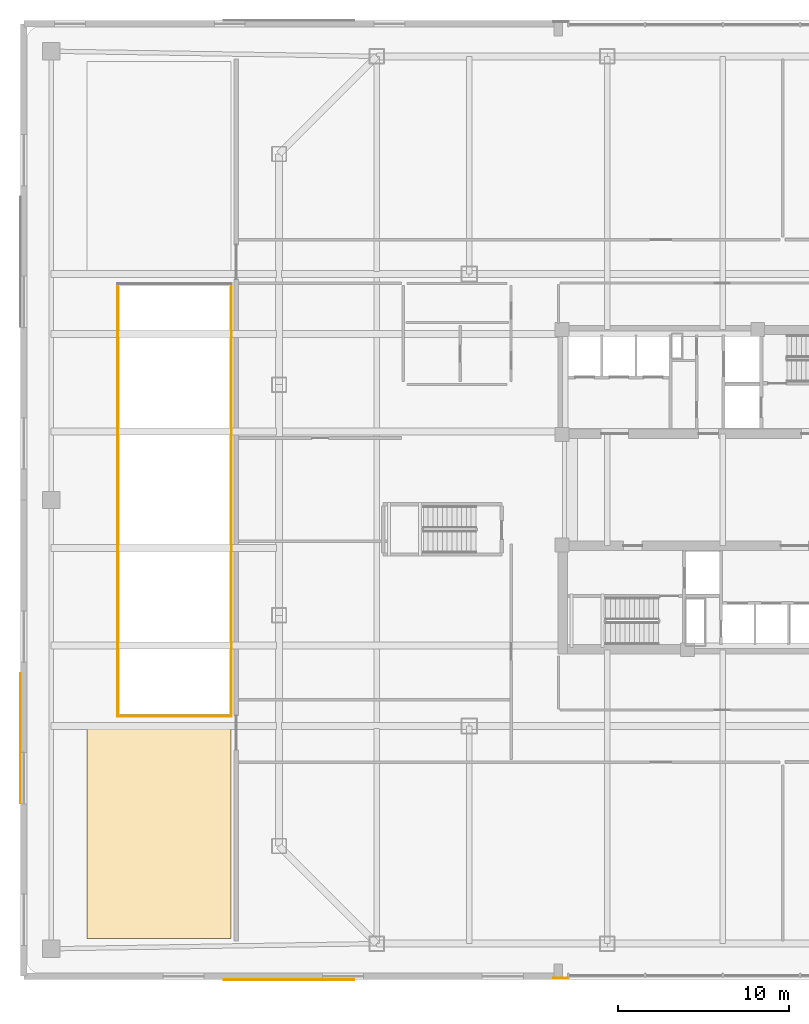
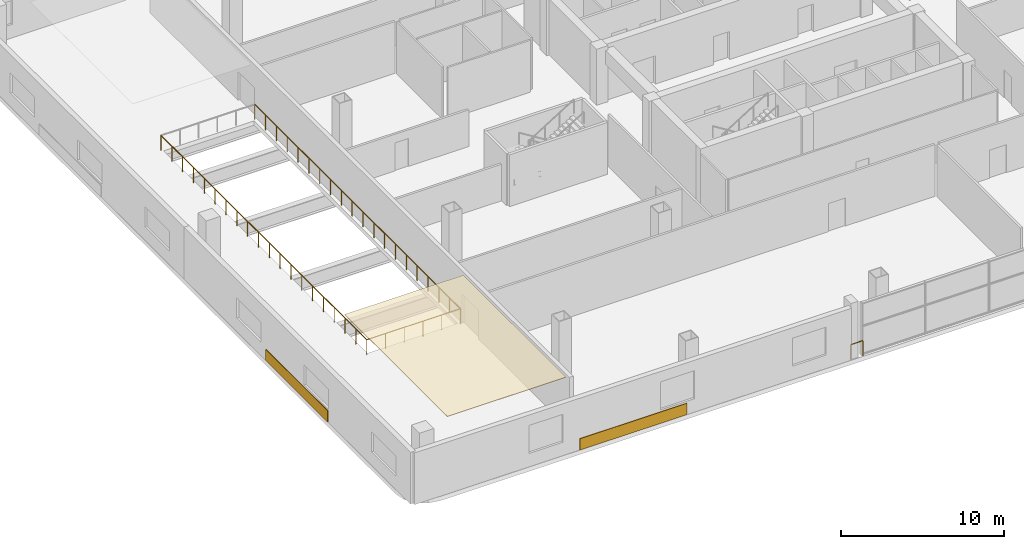
# One storey, part 16 of 21: 4 railings, 3 coverings.
"""IFC4 building model written with IfcOpenShell, lengths in metres."""

from ifc_helpers import new_model, si_unit, direction, frame, origin, origin_2d, place, context, subcontext, project, spatial, polyline, rectangle, outline, extrude, material, layer, layer_set, type_object, element, save


model = new_model("IFC4")

# Units and contexts
model_context = context("Model", 3, precision=1e-05, world=origin(), true_north=direction((0.0, 1.0)))
body_context = subcontext(model_context, "Body", "Model", "MODEL_VIEW")
ifc_project = project(units=[si_unit("LENGTHUNIT", "METRE"), si_unit("AREAUNIT", "SQUARE_METRE"), si_unit("VOLUMEUNIT", "CUBIC_METRE"), si_unit("PLANEANGLEUNIT", "RADIAN"), si_unit("MASSUNIT", "GRAM", prefix="KILO")], contexts=[model_context])

# Site, building, storey
site_placement = place(None, origin())
site = spatial("IfcSite", under=ifc_project, at=site_placement, CompositionType="ELEMENT")
building_placement = place(site_placement, origin())
building = spatial("IfcBuilding", under=site, at=building_placement, Name="Qhalaya Broadcast Tower", CompositionType="ELEMENT")
storey_placement = place(building_placement, frame((0.0, 0.0, 9.300048828125)))
storey = spatial("IfcBuildingStorey", under=building, at=storey_placement, Name="L02", CompositionType="ELEMENT", Elevation=9.300048828125)

# Coverings
ifc_material_1 = material(Name="Acoustic Mineral-Fibre Ceiling")
ifc_layer_1 = layer(ifc_material_1, 0.0400390625, Name="Acoustic Mineral-Fibre Ceiling")
ifc_layer_set_1 = layer_set([ifc_layer_1], Name="Acoustic Mineral-Fibre Ceiling")
covering_type_1 = type_object("IfcCoveringType", Name="Acoustic Mineral-Fibre Suspended Ceiling CLG-01", PredefinedType="CEILING", material=ifc_layer_set_1)
covering_placement = place(storey_placement, frame((0.0, 0.0, 3.83984375)))
element("IfcCovering", 1, at=covering_placement, inside=storey, type_object=covering_type_1, Name="L02 Acoustic Suspended Ceiling 01", PredefinedType="CEILING", context=body_context, shape_type="SweptSolid", body=[
    extrude(outline(polyline([(-28.699951171875, -13.0), (-37.10009765625, -13.0), (-37.10009765625, -25.60009765625), (-28.699951171875, -25.60009765625), (-28.699951171875, -13.0)])), origin(), (0.0, 0.0, 1.0), 0.0400390625),
])
ifc_material_2 = material(Name="Fired Architectural Terracotta", Category="masonry")
ifc_layer_2 = layer(ifc_material_2, 0.044921875, Name="Fired Architectural Terracotta")
ifc_layer_set_2 = layer_set([ifc_layer_2], Name="Fired Architectural Terracotta")
covering_type_2 = type_object("IfcCoveringType", Name="Polychrome Terracotta Rainscreen Cladding CLD-01", PredefinedType="CLADDING", material=ifc_layer_set_2)
for number, where, z_axis, x_axis, name in (
    (2, (-25.320068359375, -28.0, 0.02490234375), (0.0, 0.0, 1.0), (-1.0, 0.0, 0.0), "L02 Terracotta Spandrel Cladding EW-SW"),
    (3, (-41.0, -13.89990234375, 0.02490234375), (0.0, 0.0, 1.0), (0.0, 1.0, 0.0), "L02 Terracotta Spandrel Cladding EW-WS"),
):
    element("IfcCovering", number, at=place(storey_placement, frame(where, z_axis=z_axis, x_axis=x_axis)), inside=storey, type_object=covering_type_2, Name=name, PredefinedType="CLADDING", context=body_context, shape_type="SweptSolid", body=[
        extrude(rectangle(XDim=7.60009765625, YDim=0.044921875, at=origin_2d()), origin(), (0.0, 0.0, 1.0), 0.85009765625),
    ])

# Railings
ifc_material_3 = material(Name="Powder-Coated Galvanised Steel", Category="steel")
railing_type_1 = type_object("IfcRailingType", Name="Stair Well & Landing Guardrail 1100", PredefinedType="GUARDRAIL", material=ifc_material_3)
railing_1_placement = place(storey_placement, frame((-35.320068359375, -12.6201171875, 0.0)))
element("IfcRailing", 4, at=railing_1_placement, inside=storey, type_object=railing_type_1, Name="L02 Soundstage Acoustic Void Safety Guard STVW-1", PredefinedType="GUARDRAIL", context=body_context, shape_type="SweptSolid", body=[
    extrude(rectangle(XDim=0.048095703125, YDim=0.048095703125, at=origin_2d()), frame((0.0, 0.0, 1.1259765625), z_axis=(1.0, 0.0, 0.0), x_axis=(0.0, 1.0, 0.0)), (0.0, 0.0, 1.0), 6.64013671875),
    extrude(rectangle(XDim=0.0419921875, YDim=0.0419921875, at=origin_2d()), origin(), (0.0, 0.0, 1.0), 1.099853515625),
    extrude(rectangle(XDim=0.0419921875, YDim=0.0419921875, at=origin_2d()), frame((1.328125, 0.0, 0.0)), (0.0, 0.0, 1.0), 1.099853515625),
    extrude(rectangle(XDim=0.0419921875, YDim=0.0419921875, at=origin_2d()), frame((2.656005859375, 0.0, 0.0)), (0.0, 0.0, 1.0), 1.099853515625),
    extrude(rectangle(XDim=0.0419921875, YDim=0.0419921875, at=origin_2d()), frame((3.984130859375, 0.0, 0.0)), (0.0, 0.0, 1.0), 1.099853515625),
    extrude(rectangle(XDim=0.0419921875, YDim=0.0419921875, at=origin_2d()), frame((5.31201171875, 0.0, 0.0)), (0.0, 0.0, 1.0), 1.099853515625),
    extrude(rectangle(XDim=0.0419921875, YDim=0.0419921875, at=origin_2d()), frame((6.64013671875, 0.0, 0.0)), (0.0, 0.0, 1.0), 1.099853515625),
])
railing_2_placement = place(storey_placement, frame((-28.679931640625, -12.6201171875, 0.0)))
element("IfcRailing", 5, at=railing_2_placement, inside=storey, type_object=railing_type_1, Name="L02 Soundstage Acoustic Void Safety Guard STVW-2", PredefinedType="GUARDRAIL", context=body_context, shape_type="SweptSolid", body=[
    extrude(rectangle(XDim=0.048095703125, YDim=0.048095703125, at=origin_2d()), frame((0.0, 0.0, 1.1259765625), z_axis=(0.0, 1.0, 0.0), x_axis=(-1.0, 0.0, 0.0)), (0.0, 0.0, 1.0), 25.240234375),
    extrude(rectangle(XDim=0.0419921875, YDim=0.0419921875, at=origin_2d()), origin(), (0.0, 0.0, 1.0), 1.099853515625),
    extrude(rectangle(XDim=0.0419921875, YDim=0.0419921875, at=origin_2d()), frame((0.0, 1.328369140625, 0.0)), (0.0, 0.0, 1.0), 1.099853515625),
    extrude(rectangle(XDim=0.0419921875, YDim=0.0419921875, at=origin_2d()), frame((0.0, 2.656982421875, 0.0)), (0.0, 0.0, 1.0), 1.099853515625),
    extrude(rectangle(XDim=0.0419921875, YDim=0.0419921875, at=origin_2d()), frame((0.0, 3.9853515625, 0.0)), (0.0, 0.0, 1.0), 1.099853515625),
    extrude(rectangle(XDim=0.0419921875, YDim=0.0419921875, at=origin_2d()), frame((0.0, 5.313720703125, 0.0)), (0.0, 0.0, 1.0), 1.099853515625),
    extrude(rectangle(XDim=0.0419921875, YDim=0.0419921875, at=origin_2d()), frame((0.0, 6.64208984375, 0.0)), (0.0, 0.0, 1.0), 1.099853515625),
    extrude(rectangle(XDim=0.0419921875, YDim=0.0419921875, at=origin_2d()), frame((0.0, 7.970703125, 0.0)), (0.0, 0.0, 1.0), 1.099853515625),
    extrude(rectangle(XDim=0.0419921875, YDim=0.0419921875, at=origin_2d()), frame((0.0, 9.299072265625, 0.0)), (0.0, 0.0, 1.0), 1.099853515625),
    extrude(rectangle(XDim=0.0419921875, YDim=0.0419921875, at=origin_2d()), frame((0.0, 10.62744140625, 0.0)), (0.0, 0.0, 1.0), 1.099853515625),
    extrude(rectangle(XDim=0.0419921875, YDim=0.0419921875, at=origin_2d()), frame((0.0, 11.955810546875, 0.0)), (0.0, 0.0, 1.0), 1.099853515625),
    extrude(rectangle(XDim=0.0419921875, YDim=0.0419921875, at=origin_2d()), frame((0.0, 13.284423828125, 0.0)), (0.0, 0.0, 1.0), 1.099853515625),
    extrude(rectangle(XDim=0.0419921875, YDim=0.0419921875, at=origin_2d()), frame((0.0, 14.61279296875, 0.0)), (0.0, 0.0, 1.0), 1.099853515625),
    extrude(rectangle(XDim=0.0419921875, YDim=0.0419921875, at=origin_2d()), frame((0.0, 15.941162109375, 0.0)), (0.0, 0.0, 1.0), 1.099853515625),
    extrude(rectangle(XDim=0.0419921875, YDim=0.0419921875, at=origin_2d()), frame((0.0, 17.26953125, 0.0)), (0.0, 0.0, 1.0), 1.099853515625),
    extrude(rectangle(XDim=0.0419921875, YDim=0.0419921875, at=origin_2d()), frame((0.0, 18.59814453125, 0.0)), (0.0, 0.0, 1.0), 1.099853515625),
    extrude(rectangle(XDim=0.0419921875, YDim=0.0419921875, at=origin_2d()), frame((0.0, 19.926513671875, 0.0)), (0.0, 0.0, 1.0), 1.099853515625),
    extrude(rectangle(XDim=0.0419921875, YDim=0.0419921875, at=origin_2d()), frame((0.0, 21.2548828125, 0.0)), (0.0, 0.0, 1.0), 1.099853515625),
    extrude(rectangle(XDim=0.0419921875, YDim=0.0419921875, at=origin_2d()), frame((0.0, 22.583251953125, 0.0)), (0.0, 0.0, 1.0), 1.099853515625),
    extrude(rectangle(XDim=0.0419921875, YDim=0.0419921875, at=origin_2d()), frame((0.0, 23.911865234375, 0.0)), (0.0, 0.0, 1.0), 1.099853515625),
    extrude(rectangle(XDim=0.0419921875, YDim=0.0419921875, at=origin_2d()), frame((0.0, 25.240234375, 0.0)), (0.0, 0.0, 1.0), 1.099853515625),
])
railing_3_placement = place(storey_placement, frame((-35.320068359375, 12.6201171875, 0.0)))
element("IfcRailing", 6, at=railing_3_placement, inside=storey, type_object=railing_type_1, Name="L02 Soundstage Acoustic Void Safety Guard STVW-4", PredefinedType="GUARDRAIL", context=body_context, shape_type="SweptSolid", body=[
    extrude(rectangle(XDim=0.048095703125, YDim=0.048095703125, at=origin_2d()), frame((0.0, 0.0, 1.1259765625), z_axis=(0.0, -1.0, 0.0), x_axis=(1.0, 0.0, 0.0)), (0.0, 0.0, 1.0), 25.240234375),
    extrude(rectangle(XDim=0.0419921875, YDim=0.0419921875, at=origin_2d()), origin(), (0.0, 0.0, 1.0), 1.099853515625),
    extrude(rectangle(XDim=0.0419921875, YDim=0.0419921875, at=origin_2d()), frame((0.0, -1.328369140625, 0.0)), (0.0, 0.0, 1.0), 1.099853515625),
    extrude(rectangle(XDim=0.0419921875, YDim=0.0419921875, at=origin_2d()), frame((0.0, -2.656982421875, 0.0)), (0.0, 0.0, 1.0), 1.099853515625),
    extrude(rectangle(XDim=0.0419921875, YDim=0.0419921875, at=origin_2d()), frame((0.0, -3.9853515625, 0.0)), (0.0, 0.0, 1.0), 1.099853515625),
    extrude(rectangle(XDim=0.0419921875, YDim=0.0419921875, at=origin_2d()), frame((0.0, -5.313720703125, 0.0)), (0.0, 0.0, 1.0), 1.099853515625),
    extrude(rectangle(XDim=0.0419921875, YDim=0.0419921875, at=origin_2d()), frame((0.0, -6.64208984375, 0.0)), (0.0, 0.0, 1.0), 1.099853515625),
    extrude(rectangle(XDim=0.0419921875, YDim=0.0419921875, at=origin_2d()), frame((0.0, -7.970703125, 0.0)), (0.0, 0.0, 1.0), 1.099853515625),
    extrude(rectangle(XDim=0.0419921875, YDim=0.0419921875, at=origin_2d()), frame((0.0, -9.299072265625, 0.0)), (0.0, 0.0, 1.0), 1.099853515625),
    extrude(rectangle(XDim=0.0419921875, YDim=0.0419921875, at=origin_2d()), frame((0.0, -10.62744140625, 0.0)), (0.0, 0.0, 1.0), 1.099853515625),
    extrude(rectangle(XDim=0.0419921875, YDim=0.0419921875, at=origin_2d()), frame((0.0, -11.955810546875, 0.0)), (0.0, 0.0, 1.0), 1.099853515625),
    extrude(rectangle(XDim=0.0419921875, YDim=0.0419921875, at=origin_2d()), frame((0.0, -13.284423828125, 0.0)), (0.0, 0.0, 1.0), 1.099853515625),
    extrude(rectangle(XDim=0.0419921875, YDim=0.0419921875, at=origin_2d()), frame((0.0, -14.61279296875, 0.0)), (0.0, 0.0, 1.0), 1.099853515625),
    extrude(rectangle(XDim=0.0419921875, YDim=0.0419921875, at=origin_2d()), frame((0.0, -15.941162109375, 0.0)), (0.0, 0.0, 1.0), 1.099853515625),
    extrude(rectangle(XDim=0.0419921875, YDim=0.0419921875, at=origin_2d()), frame((0.0, -17.26953125, 0.0)), (0.0, 0.0, 1.0), 1.099853515625),
    extrude(rectangle(XDim=0.0419921875, YDim=0.0419921875, at=origin_2d()), frame((0.0, -18.59814453125, 0.0)), (0.0, 0.0, 1.0), 1.099853515625),
    extrude(rectangle(XDim=0.0419921875, YDim=0.0419921875, at=origin_2d()), frame((0.0, -19.926513671875, 0.0)), (0.0, 0.0, 1.0), 1.099853515625),
    extrude(rectangle(XDim=0.0419921875, YDim=0.0419921875, at=origin_2d()), frame((0.0, -21.2548828125, 0.0)), (0.0, 0.0, 1.0), 1.099853515625),
    extrude(rectangle(XDim=0.0419921875, YDim=0.0419921875, at=origin_2d()), frame((0.0, -22.583251953125, 0.0)), (0.0, 0.0, 1.0), 1.099853515625),
    extrude(rectangle(XDim=0.0419921875, YDim=0.0419921875, at=origin_2d()), frame((0.0, -23.911865234375, 0.0)), (0.0, 0.0, 1.0), 1.099853515625),
    extrude(rectangle(XDim=0.0419921875, YDim=0.0419921875, at=origin_2d()), frame((0.0, -25.240234375, 0.0)), (0.0, 0.0, 1.0), 1.099853515625),
])
railing_type_2 = type_object("IfcRailingType", Name="Terrace, Sky-Pool & Lookout Glass Balustrade 1150", PredefinedType="BALUSTRADE", material=ifc_material_3)
railing_4_placement = place(storey_placement, frame((-9.8798828125, -27.919921875, 0.0)))
element("IfcRailing", 7, at=railing_4_placement, inside=storey, type_object=railing_type_2, Name="L02 Concourse Portal Shoulder Safety Balustrade PSW", PredefinedType="BALUSTRADE", context=body_context, shape_type="SweptSolid", body=[
    extrude(rectangle(XDim=0.048095703125, YDim=0.048095703125, at=origin_2d()), frame((0.0, 0.0, 1.1259765625), z_axis=(1.0, 0.0, 0.0), x_axis=(0.0, 1.0, 0.0)), (0.0, 0.0, 1.0), 0.8798828125),
    extrude(rectangle(XDim=0.0419921875, YDim=0.0419921875, at=origin_2d()), origin(), (0.0, 0.0, 1.0), 1.099853515625),
    extrude(rectangle(XDim=0.0419921875, YDim=0.0419921875, at=origin_2d()), frame((0.8798828125, 0.0, 0.0)), (0.0, 0.0, 1.0), 1.099853515625),
])

save(model, "model.ifc")
